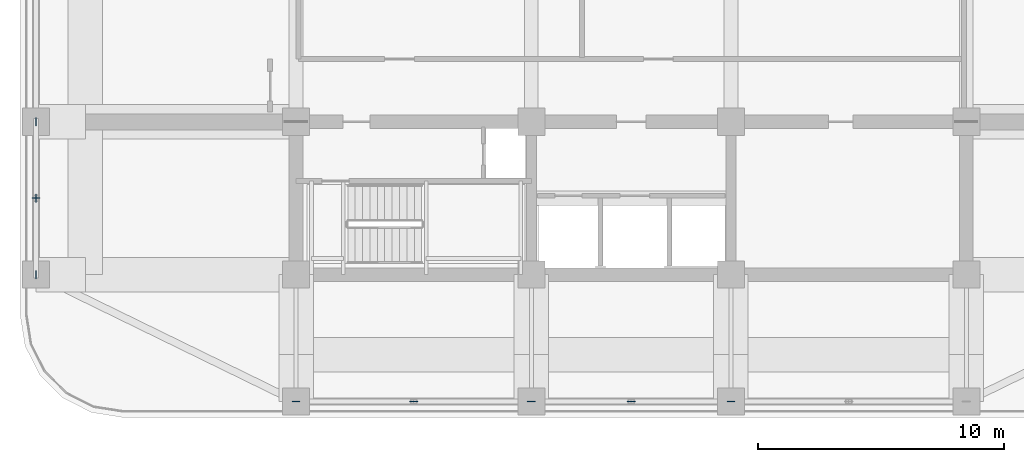
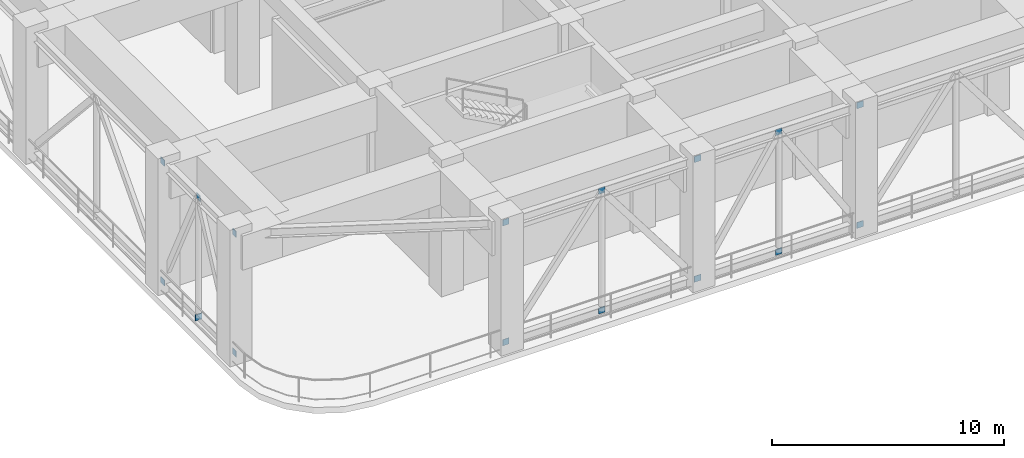
# One storey, part 13 of 20: 16 discrete accessories.
"""IFC4 building model written with IfcOpenShell, lengths in metres."""

from ifc_helpers import new_model, si_unit, direction, frame, origin, origin_2d, place, context, subcontext, project, spatial, rectangle, extrude, material, layer, layer_set, type_object, element, save


model = new_model("IFC4")

# Units and contexts
model_context = context("Model", 3, precision=1e-05, world=origin(), true_north=direction((0.0, 1.0)))
body_context = subcontext(model_context, "Body", "Model", "MODEL_VIEW")
ifc_project = project(units=[si_unit("LENGTHUNIT", "METRE"), si_unit("AREAUNIT", "SQUARE_METRE"), si_unit("VOLUMEUNIT", "CUBIC_METRE"), si_unit("PLANEANGLEUNIT", "RADIAN"), si_unit("MASSUNIT", "GRAM", prefix="KILO")], contexts=[model_context])

# Site, building, storey
site_placement = place(None, origin())
site = spatial("IfcSite", under=ifc_project, at=site_placement, CompositionType="ELEMENT")
building_placement = place(site_placement, origin())
building = spatial("IfcBuilding", under=site, at=building_placement, Name="Svetorya Sky Lyceum", CompositionType="ELEMENT")
storey_placement = place(building_placement, frame((0.0, 0.0, 136.39990234375)))
storey = spatial("IfcBuildingStorey", under=building, at=storey_placement, Name="L34", CompositionType="ELEMENT", Elevation=136.39990234375)

# Discrete accessories
ifc_material = material(Name="Steel S355", Category="steel")
ifc_layer = layer(ifc_material, 0.02392578125)
ifc_layer_set = layer_set([ifc_layer], Name="Steel S355")
discrete_accessory_type = type_object("IfcDiscreteAccessoryType", Name="ACC-GUSSET-24", PredefinedType="BRACKET", material=ifc_layer_set)
for number, where, z_axis, x_axis, name in (
    (1, (25.60009765625, 5.449951171875, 0.0859375), (0.0, 0.0, 1.0), (1.0, 0.0, 0.0), "L34 Brace Node Gusset Plate 65"),
    (2, (35.14990234375, 5.449951171875, 0.0859375), (0.0, 0.0, 1.0), (1.0, 0.0, 0.0), "L34 Brace Node Gusset Plate 66"),
    (3, (25.60009765625, 5.449951171875, 6.39404296875), (0.0, 0.0, 1.0), (1.0, 0.0, 0.0), "L34 Brace Node Gusset Plate 67"),
    (4, (35.14990234375, 5.449951171875, 6.39404296875), (0.0, 0.0, 1.0), (1.0, 0.0, 0.0), "L34 Brace Node Gusset Plate 68"),
    (5, (30.375, 5.449951171875, 6.39404296875), (0.0, 0.0, 1.0), (1.0, 0.0, 0.0), "L34 Brace Node Gusset Plate 69"),
    (6, (30.375, 5.449951171875, 0.0859375), (0.0, 0.0, 1.0), (1.0, 0.0, 0.0), "L34 Brace Node Gusset Plate 70"),
    (7, (43.25, 5.449951171875, 0.0859375), (0.0, 0.0, 1.0), (1.0, 0.0, 0.0), "L34 Brace Node Gusset Plate 71"),
    (8, (43.25, 5.449951171875, 6.39404296875), (0.0, 0.0, 1.0), (1.0, 0.0, 0.0), "L34 Brace Node Gusset Plate 72"),
    (9, (39.199951171875, 5.449951171875, 6.39404296875), (0.0, 0.0, 1.0), (1.0, 0.0, 0.0), "L34 Brace Node Gusset Plate 73"),
    (10, (39.199951171875, 5.449951171875, 0.0859375), (0.0, 0.0, 1.0), (1.0, 0.0, 0.0), "L34 Brace Node Gusset Plate 74"),
):
    element("IfcDiscreteAccessory", number, at=place(storey_placement, frame(where, z_axis=z_axis, x_axis=x_axis)), inside=storey, type_object=discrete_accessory_type, Name=name, PredefinedType="BRACKET", context=body_context, shape_type="SweptSolid", body=[
        extrude(rectangle(XDim=0.320068359375, YDim=0.02392578125, at=origin_2d()), origin(), (0.0, 0.0, 1.0), 0.320068359375),
    ])
for number, where, z_axis, x_axis, name in (
    (11, (15.050048828125, 10.60009765625, 0.0859375), (0.0, 0.0, 1.0), (1.0, 0.0, 0.0), "L34 Brace Node Gusset Plate 93"),
    (12, (15.050048828125, 16.800048828125, 0.0859375), (0.0, 0.0, 1.0), (1.0, 0.0, 0.0), "L34 Brace Node Gusset Plate 94"),
    (13, (15.050048828125, 10.60009765625, 6.39404296875), (0.0, 0.0, 1.0), (1.0, 0.0, 0.0), "L34 Brace Node Gusset Plate 95"),
    (14, (15.050048828125, 16.800048828125, 6.39404296875), (0.0, 0.0, 1.0), (1.0, 0.0, 0.0), "L34 Brace Node Gusset Plate 96"),
    (15, (15.050048828125, 13.699951171875, 6.39404296875), (0.0, 0.0, 1.0), (1.0, 0.0, 0.0), "L34 Brace Node Gusset Plate 97"),
):
    element("IfcDiscreteAccessory", number, at=place(storey_placement, frame(where, z_axis=z_axis, x_axis=x_axis)), inside=storey, type_object=discrete_accessory_type, Name=name, PredefinedType="BRACKET", context=body_context, shape_type="SweptSolid", body=[
        extrude(rectangle(XDim=0.02392578125, YDim=0.320068359375, at=origin_2d()), origin(), (0.0, 0.0, 1.0), 0.320068359375),
    ])
discrete_accessory_placement = place(storey_placement, frame((15.050048828125, 13.699951171875, 0.0859375), z_axis=(0.0, 0.0, 1.0), x_axis=(1.0, 0.0, 0.0)))
element("IfcDiscreteAccessory", 16, at=discrete_accessory_placement, inside=storey, type_object=discrete_accessory_type, Name="L34 Brace Node Gusset Plate 98", PredefinedType="BRACKET", context=body_context, shape_type="SweptSolid", body=[
    extrude(rectangle(XDim=0.320068359375, YDim=0.02392578125, at=origin_2d()), origin(), (0.0, 0.0, 1.0), 0.320068359375),
])

save(model, "model.ifc")
